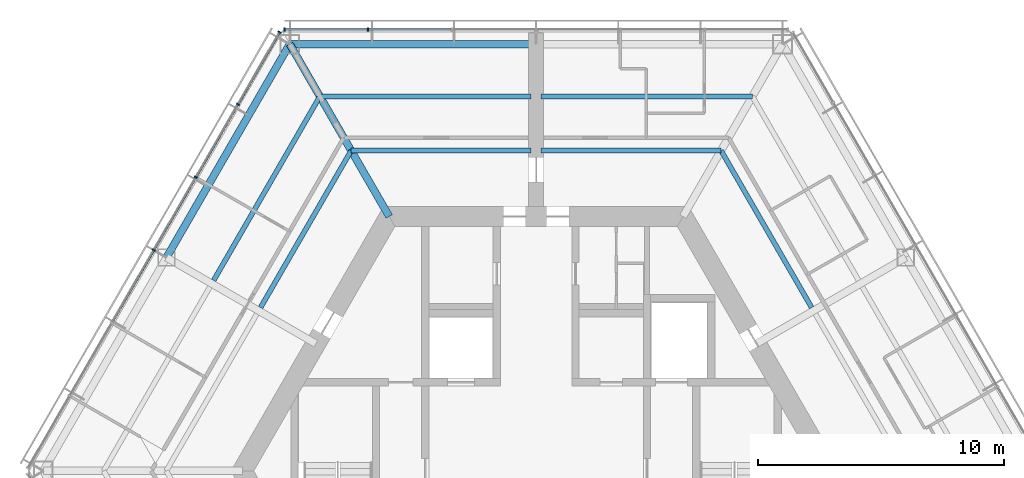
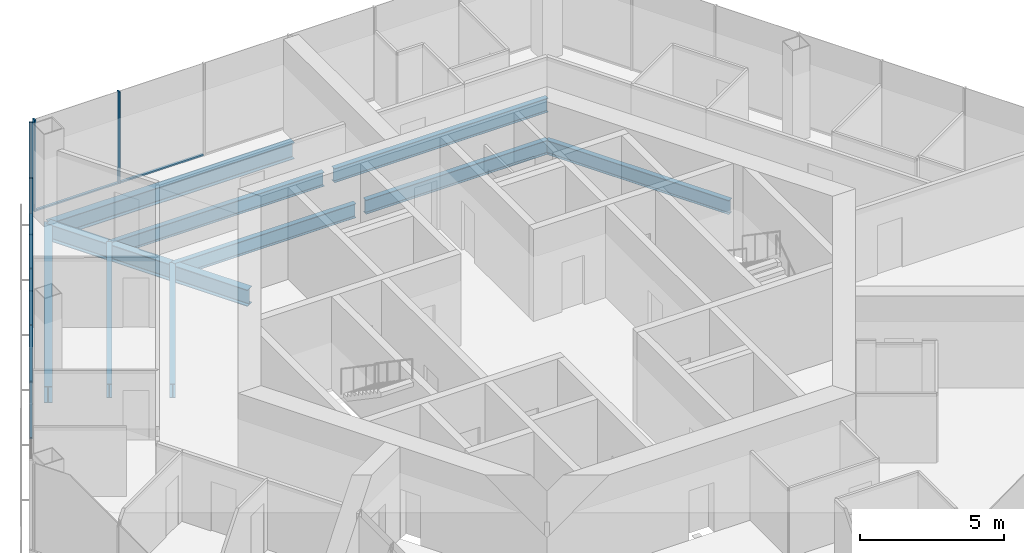
# One storey, part 6 of 17: 12 members, 10 beams, 2 elements without a shape of their own.
"""IFC4 building model written with IfcOpenShell, lengths in metres."""

from ifc_helpers import new_model, si_unit, direction, frame, origin, origin_2d, place, context, subcontext, project, spatial, rectangle, i_section, extrude, material, material_profile, profile_set, type_object, element, aggregate, save


model = new_model("IFC4")

# Units and contexts
model_context = context("Model", 3, precision=1e-05, world=origin(), true_north=direction((0.0, 1.0)))
body_context = subcontext(model_context, "Body", "Model", "MODEL_VIEW")
ifc_project = project(units=[si_unit("LENGTHUNIT", "METRE"), si_unit("AREAUNIT", "SQUARE_METRE"), si_unit("VOLUMEUNIT", "CUBIC_METRE"), si_unit("PLANEANGLEUNIT", "RADIAN"), si_unit("MASSUNIT", "GRAM", prefix="KILO")], contexts=[model_context])

# Site, building, storey
site_placement = place(None, origin())
site = spatial("IfcSite", under=ifc_project, at=site_placement, CompositionType="ELEMENT")
building_placement = place(site_placement, origin())
building = spatial("IfcBuilding", under=site, at=building_placement, Name="Kasaneha Research Tower", CompositionType="ELEMENT")
storey_placement = place(building_placement, frame((0.0, 0.0, 224.5)))
storey = spatial("IfcBuildingStorey", under=building, at=storey_placement, Name="L56", CompositionType="ELEMENT", Elevation=224.5)

# Beams
ifc_material_1 = material(Name="Steel SN490B", Category="steel")
ifc_material_profile_1 = material_profile(ifc_material_1, i_section(OverallWidth=0.199951171875, OverallDepth=0.60009765625, WebThickness=0.010986328125, FlangeThickness=0.01708984375, FilletRadius=0.012939453125, at=origin_2d()), Name="H-600x200x11x17")
ifc_profile_set_1 = profile_set([ifc_material_profile_1], Name="Steel SN490B")
beam_type_1 = type_object("IfcBeamType", Name="B1-3 secondary beam H-600x200x11x17", PredefinedType="JOIST", material=ifc_profile_set_1)
beam_1_placement = place(storey_placement, frame((7.505615234375, 13.0, -0.449951171875), z_axis=(0.499994443168, -0.866028611999, 0.0), x_axis=(0.866028611999, 0.499994443168, 0.0)))
element("IfcBeam", 1, at=beam_1_placement, inside=storey, type_object=beam_type_1, Name="Secondary beam RS030R1 L56", PredefinedType="JOIST", context=body_context, shape_type="SweptSolid", body=[
    extrude(i_section(OverallWidth=0.199951171875, OverallDepth=0.60009765625, WebThickness=0.010986328125, FlangeThickness=0.01708984375, FilletRadius=0.012939453125, at=origin_2d()), origin(), (0.0, 0.0, 1.0), 7.35546875),
])
beam_2_placement = place(storey_placement, frame((7.505615234375, 13.0, -0.449951171875), z_axis=(-1.0, 0.0, 0.0), x_axis=(0.0, -1.0, 0.0)))
element("IfcBeam", 2, at=beam_2_placement, inside=storey, type_object=beam_type_1, Name="Secondary beam RS090L1 L56", PredefinedType="JOIST", context=body_context, shape_type="SweptSolid", body=[
    extrude(i_section(OverallWidth=0.199951171875, OverallDepth=0.60009765625, WebThickness=0.010986328125, FlangeThickness=0.01708984375, FilletRadius=0.012939453125, at=origin_2d()), origin(), (0.0, 0.0, 1.0), 7.3056640625),
])
beam_3_placement = place(storey_placement, frame((8.775634765625, 15.199951171875, -0.449951171875), z_axis=(-1.0, 0.0, 0.0), x_axis=(0.0, -1.0, 0.0)))
element("IfcBeam", 3, at=beam_3_placement, inside=storey, type_object=beam_type_1, Name="Secondary beam RS090L2 L56", PredefinedType="JOIST", context=body_context, shape_type="SweptSolid", body=[
    extrude(i_section(OverallWidth=0.199951171875, OverallDepth=0.60009765625, WebThickness=0.010986328125, FlangeThickness=0.01708984375, FilletRadius=0.012939453125, at=origin_2d()), origin(), (0.0, 0.0, 1.0), 8.57568359375),
])
beam_4_placement = place(storey_placement, frame((-7.505615234375, 13.0, -0.449951171875), z_axis=(1.0, 0.0, 0.0), x_axis=(0.0, 1.0, 0.0)))
element("IfcBeam", 4, at=beam_4_placement, inside=storey, type_object=beam_type_1, Name="Secondary beam RS090R1 L56", PredefinedType="JOIST", context=body_context, shape_type="SweptSolid", body=[
    extrude(i_section(OverallWidth=0.199951171875, OverallDepth=0.60009765625, WebThickness=0.010986328125, FlangeThickness=0.01708984375, FilletRadius=0.012939453125, at=origin_2d()), origin(), (0.0, 0.0, 1.0), 7.3056640625),
])
beam_5_placement = place(storey_placement, frame((-8.775634765625, 15.199951171875, -0.449951171875), z_axis=(1.0, 0.0, 0.0), x_axis=(0.0, 1.0, 0.0)))
element("IfcBeam", 5, at=beam_5_placement, inside=storey, type_object=beam_type_1, Name="Secondary beam RS090R2 L56", PredefinedType="JOIST", context=body_context, shape_type="SweptSolid", body=[
    extrude(i_section(OverallWidth=0.199951171875, OverallDepth=0.60009765625, WebThickness=0.010986328125, FlangeThickness=0.01708984375, FilletRadius=0.012939453125, at=origin_2d()), origin(), (0.0, 0.0, 1.0), 8.57568359375),
])
beam_6_placement = place(storey_placement, frame((-7.505615234375, 13.0, -0.449951171875), z_axis=(-0.499994443168, -0.866028611999, 0.0), x_axis=(0.866028611999, -0.499994443168, 0.0)))
element("IfcBeam", 6, at=beam_6_placement, inside=storey, type_object=beam_type_1, Name="Secondary beam RS150L1 L56", PredefinedType="JOIST", context=body_context, shape_type="SweptSolid", body=[
    extrude(i_section(OverallWidth=0.199951171875, OverallDepth=0.60009765625, WebThickness=0.010986328125, FlangeThickness=0.01708984375, FilletRadius=0.012939453125, at=origin_2d()), origin(), (0.0, 0.0, 1.0), 7.35546875),
])
beam_7_placement = place(storey_placement, frame((-8.775634765625, 15.199951171875, -0.449951171875), z_axis=(-0.500017275495, -0.866015429543, 0.0), x_axis=(0.866015429543, -0.500017275495, 0.0)))
element("IfcBeam", 7, at=beam_7_placement, inside=storey, type_object=beam_type_1, Name="Secondary beam RS150L2 L56", PredefinedType="JOIST", context=body_context, shape_type="SweptSolid", body=[
    extrude(i_section(OverallWidth=0.199951171875, OverallDepth=0.60009765625, WebThickness=0.010986328125, FlangeThickness=0.01708984375, FilletRadius=0.012939453125, at=origin_2d()), origin(), (0.0, 0.0, 1.0), 8.625732421875),
])

# Curtain wall, members
ifc_material_2 = material(Name="Glass and aluminium", Category="aluminium")
curtain_wall_type = type_object("IfcCurtainWallType", Name="High-rise office curtain wall", PredefinedType="USERDEFINED", material=ifc_material_2)
curtain_wall_1_placement = place(storey_placement, origin())
curtain_wall_1 = element("IfcCurtainWall", 8, at=curtain_wall_1_placement, inside=storey, type_object=curtain_wall_type, Name="CW-O3 L56 run 02a", ObjectType="UNITISED CURTAIN WALL", PredefinedType="USERDEFINED")
ifc_material_3 = material(Name="Aluminium 6063-T6", Category="aluminium")
ifc_material_profile_2 = material_profile(ifc_material_3, rectangle(XDim=0.06005859375, YDim=0.139892578125, at=origin_2d()), Name="CW-O3 mullion 60x140")
ifc_profile_set_2 = profile_set([ifc_material_profile_2], Name="Aluminium 6063-T6")
member_type_1 = type_object("IfcMemberType", Name="CW-O3 mullion", PredefinedType="MULLION", material=ifc_profile_set_2)
member_1_placement = place(storey_placement, frame((-6.8310546875, 17.92041015625, 0.0), z_axis=(0.0, 0.0, 1.0), x_axis=(-1.0, 0.0, 0.0)))
member_1 = element("IfcMember", 9, at=member_1_placement, type_object=member_type_1, Name="CW-O3 mullion 6", PredefinedType="MULLION", context=body_context, shape_type="SweptSolid", body=[
    extrude(rectangle(XDim=0.06005859375, YDim=0.139892578125, at=origin_2d()), origin(), (0.0, 0.0, 1.0), 3.89990234375),
])
member_2_placement = place(storey_placement, frame((-10.21630859375, 17.92041015625, 0.0), z_axis=(0.0, 0.0, 1.0), x_axis=(-1.0, 0.0, 0.0)))
member_2 = element("IfcMember", 10, at=member_2_placement, type_object=member_type_1, Name="CW-O3 mullion 7", PredefinedType="MULLION", context=body_context, shape_type="SweptSolid", body=[
    extrude(rectangle(XDim=0.06005859375, YDim=0.139892578125, at=origin_2d()), origin(), (0.0, 0.0, 1.0), 3.89990234375),
])

curtain_wall_2_placement = place(storey_placement, origin())
curtain_wall_2 = element("IfcCurtainWall", 11, at=curtain_wall_2_placement, inside=storey, type_object=curtain_wall_type, Name="CW-O3 L56 run 03a", ObjectType="UNITISED CURTAIN WALL", PredefinedType="USERDEFINED")
member_3_placement = place(storey_placement, frame((-10.411376953125, 17.807861328125, 0.0), z_axis=(0.0, 0.0, 1.0), x_axis=(-0.499999995722, -0.866025406254, 0.0)))
member_3 = element("IfcMember", 12, at=member_3_placement, type_object=member_type_1, Name="CW-O3 mullion 1", PredefinedType="MULLION", context=body_context, shape_type="SweptSolid", body=[
    extrude(rectangle(XDim=0.06005859375, YDim=0.139892578125, at=origin_2d()), origin(), (0.0, 0.0, 1.0), 3.89990234375),
])
member_4_placement = place(storey_placement, frame((-12.104248046875, 14.8759765625, 0.0), z_axis=(0.0, 0.0, 1.0), x_axis=(-0.499999995722, -0.866025406254, 0.0)))
member_4 = element("IfcMember", 13, at=member_4_placement, type_object=member_type_1, Name="CW-O3 mullion 2", PredefinedType="MULLION", context=body_context, shape_type="SweptSolid", body=[
    extrude(rectangle(XDim=0.06005859375, YDim=0.139892578125, at=origin_2d()), origin(), (0.0, 0.0, 1.0), 3.89990234375),
])
member_5_placement = place(storey_placement, frame((-13.811767578125, 11.918212890625, 0.0), z_axis=(0.0, 0.0, 1.0), x_axis=(-0.499999995722, -0.866025406254, 0.0)))
member_5 = element("IfcMember", 14, at=member_5_placement, type_object=member_type_1, Name="CW-O3 mullion 3", PredefinedType="MULLION", context=body_context, shape_type="SweptSolid", body=[
    extrude(rectangle(XDim=0.06005859375, YDim=0.139892578125, at=origin_2d()), origin(), (0.0, 0.0, 1.0), 3.89990234375),
])
member_6_placement = place(storey_placement, frame((-15.51953125, 8.960205078125, 0.0), z_axis=(0.0, 0.0, 1.0), x_axis=(-0.499999995722, -0.866025406254, 0.0)))
member_6 = element("IfcMember", 15, at=member_6_placement, type_object=member_type_1, Name="CW-O3 mullion 4", PredefinedType="MULLION", context=body_context, shape_type="SweptSolid", body=[
    extrude(rectangle(XDim=0.06005859375, YDim=0.139892578125, at=origin_2d()), origin(), (0.0, 0.0, 1.0), 3.89990234375),
])

# Member
ifc_material_4 = material(Name="Aluminium 6063-T6", Category="aluminium")
ifc_material_profile_3 = material_profile(ifc_material_4, rectangle(XDim=0.10009765625, YDim=0.06005859375, at=origin_2d()), Name="CW-O3 transom 100x60")
ifc_profile_set_3 = profile_set([ifc_material_profile_3], Name="Aluminium 6063-T6")
member_type_2 = type_object("IfcMemberType", Name="CW-O3 transom", PredefinedType="USERDEFINED", material=ifc_profile_set_3)
member_7_placement = place(storey_placement, frame((-3.445556640625, 17.92041015625, 0.030029296875), z_axis=(-1.0, 0.0, 0.0), x_axis=(0.0, -1.0, 0.0)))
member_7 = element("IfcMember", 16, at=member_7_placement, type_object=member_type_2, Name="CW-O3 transom 5", ObjectType="TRANSOM", PredefinedType="USERDEFINED", context=body_context, shape_type="SweptSolid", body=[
    extrude(rectangle(XDim=0.10009765625, YDim=0.06005859375, at=origin_2d()), origin(), (0.0, 0.0, 1.0), 3.35546875),
])

member_8_placement = place(storey_placement, frame((-6.86083984375, 17.92041015625, 0.030029296875), z_axis=(-1.0, 0.0, 0.0), x_axis=(0.0, -1.0, 0.0)))
member_8 = element("IfcMember", 17, at=member_8_placement, type_object=member_type_2, Name="CW-O3 transom 6", ObjectType="TRANSOM", PredefinedType="USERDEFINED", context=body_context, shape_type="SweptSolid", body=[
    extrude(rectangle(XDim=0.10009765625, YDim=0.06005859375, at=origin_2d()), origin(), (0.0, 0.0, 1.0), 3.32568359375),
])

aggregate(curtain_wall_1, [member_1, member_2, member_7, member_8])

member_9_placement = place(storey_placement, frame((-10.426513671875, 17.781982421875, 0.030029296875), z_axis=(-0.49997666526, -0.866038875684, 0.0), x_axis=(0.866038875684, -0.49997666526, 0.0)))
member_9 = element("IfcMember", 18, at=member_9_placement, type_object=member_type_2, Name="CW-O3 transom 1", ObjectType="TRANSOM", PredefinedType="USERDEFINED", context=body_context, shape_type="SweptSolid", body=[
    extrude(rectangle(XDim=0.10009765625, YDim=0.06005859375, at=origin_2d()), origin(), (0.0, 0.0, 1.0), 3.325439453125),
])

member_10_placement = place(storey_placement, frame((-12.119140625, 14.85009765625, 0.030029296875), z_axis=(-0.499989072476, -0.866031712701, 0.0), x_axis=(0.866031712701, -0.499989072476, 0.0)))
member_10 = element("IfcMember", 19, at=member_10_placement, type_object=member_type_2, Name="CW-O3 transom 2", ObjectType="TRANSOM", PredefinedType="USERDEFINED", context=body_context, shape_type="SweptSolid", body=[
    extrude(rectangle(XDim=0.10009765625, YDim=0.06005859375, at=origin_2d()), origin(), (0.0, 0.0, 1.0), 3.35546875),
])

member_11_placement = place(storey_placement, frame((-13.826904296875, 11.89208984375, 0.030029296875), z_axis=(-0.500020578564, -0.866013522419, 0.0), x_axis=(0.866013522419, -0.500020578564, 0.0)))
member_11 = element("IfcMember", 20, at=member_11_placement, type_object=member_type_2, Name="CW-O3 transom 3", ObjectType="TRANSOM", PredefinedType="USERDEFINED", context=body_context, shape_type="SweptSolid", body=[
    extrude(rectangle(XDim=0.10009765625, YDim=0.06005859375, at=origin_2d()), origin(), (0.0, 0.0, 1.0), 3.355224609375),
])

member_12_placement = place(storey_placement, frame((-15.53466796875, 8.934326171875, 0.030029296875), z_axis=(-0.499989072476, -0.866031712701, 0.0), x_axis=(0.866031712701, -0.499989072476, 0.0)))
member_12 = element("IfcMember", 21, at=member_12_placement, type_object=member_type_2, Name="CW-O3 transom 4", ObjectType="TRANSOM", PredefinedType="USERDEFINED", context=body_context, shape_type="SweptSolid", body=[
    extrude(rectangle(XDim=0.10009765625, YDim=0.06005859375, at=origin_2d()), origin(), (0.0, 0.0, 1.0), 3.35546875),
])

aggregate(curtain_wall_2, [member_3, member_4, member_5, member_6, member_9, member_10, member_11, member_12])

# Beams
ifc_material_5 = material(Name="Steel SN490B", Category="steel")
ifc_material_profile_4 = material_profile(ifc_material_5, i_section(OverallWidth=0.300048828125, OverallDepth=0.699951171875, WebThickness=0.012939453125, FlangeThickness=0.02392578125, FilletRadius=0.01806640625, at=origin_2d()), Name="H-700x300x13x24")
ifc_profile_set_4 = profile_set([ifc_material_profile_4], Name="Steel SN490B")
beam_type_2 = type_object("IfcBeamType", Name="G1-3 radial girder H-700x300x13x24", PredefinedType="BEAM", material=ifc_profile_set_4)
beam_8_placement = place(storey_placement, frame((-5.961181640625, 10.324951171875, -0.5), z_axis=(-0.49999105496, 0.866030568144, 0.0), x_axis=(-0.866030568144, -0.49999105496, 0.0)))
element("IfcBeam", 22, at=beam_8_placement, inside=storey, type_object=beam_type_2, Name="Radial girder RV120 L56", PredefinedType="BEAM", context=body_context, shape_type="SweptSolid", body=[
    extrude(i_section(OverallWidth=0.300048828125, OverallDepth=0.699951171875, WebThickness=0.012939453125, FlangeThickness=0.02392578125, FilletRadius=0.01806640625, at=origin_2d()), origin(), (0.0, 0.0, 1.0), 8.077880859375),
])
ifc_material_6 = material(Name="Steel SN490B", Category="steel")
ifc_material_profile_5 = material_profile(ifc_material_6, i_section(OverallWidth=0.300048828125, OverallDepth=0.69189453125, WebThickness=0.012939453125, FlangeThickness=0.02001953125, FilletRadius=0.01806640625, at=origin_2d()), Name="H-692x300x13x20")
ifc_profile_set_5 = profile_set([ifc_material_profile_5], Name="Steel SN490B")
beam_type_3 = type_object("IfcBeamType", Name="G3-3 plate edge girder H-692x300x13x20", PredefinedType="BEAM", material=ifc_profile_set_5)
beam_9_placement = place(storey_placement, frame((-10.0, 17.320556640625, -0.49609375), z_axis=(1.0, 0.0, 0.0), x_axis=(0.0, 1.0, 0.0)))
element("IfcBeam", 23, at=beam_9_placement, inside=storey, type_object=beam_type_3, Name="Plate edge girder PEAN L56", PredefinedType="BEAM", context=body_context, shape_type="SweptSolid", body=[
    extrude(i_section(OverallWidth=0.300048828125, OverallDepth=0.69189453125, WebThickness=0.012939453125, FlangeThickness=0.02001953125, FilletRadius=0.01806640625, at=origin_2d()), origin(), (0.0, 0.0, 1.0), 9.800048828125),
])
ifc_material_7 = material(Name="Steel SN490B", Category="steel")
ifc_material_profile_6 = material_profile(ifc_material_7, i_section(OverallWidth=0.300048828125, OverallDepth=0.69189453125, WebThickness=0.012939453125, FlangeThickness=0.02001953125, FilletRadius=0.01806640625, at=origin_2d()), Name="H-692x300x13x20")
ifc_profile_set_6 = profile_set([ifc_material_profile_6], Name="Steel SN490B")
beam_type_4 = type_object("IfcBeamType", Name="SB1-3 spandrel beam H-692x300x13x20", PredefinedType="SPANDREL", material=ifc_profile_set_6)
beam_10_placement = place(storey_placement, frame((-10.0, 17.320556640625, -0.49609375), z_axis=(-0.499993662806, -0.866029062534, 0.0), x_axis=(0.866029062534, -0.499993662806, 0.0)))
element("IfcBeam", 24, at=beam_10_placement, inside=storey, type_object=beam_type_4, Name="Spandrel beam SR150L L56", PredefinedType="SPANDREL", context=body_context, shape_type="SweptSolid", body=[
    extrude(i_section(OverallWidth=0.300048828125, OverallDepth=0.69189453125, WebThickness=0.012939453125, FlangeThickness=0.02001953125, FilletRadius=0.01806640625, at=origin_2d()), origin(), (0.0, 0.0, 1.0), 10.000244140625),
])

save(model, "model.ifc")
